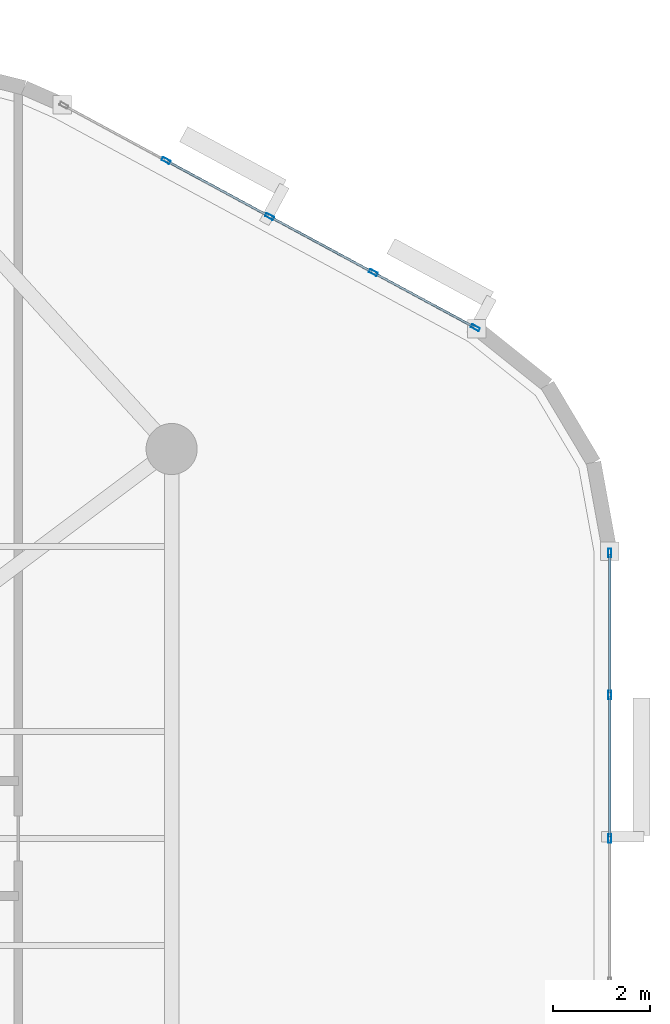
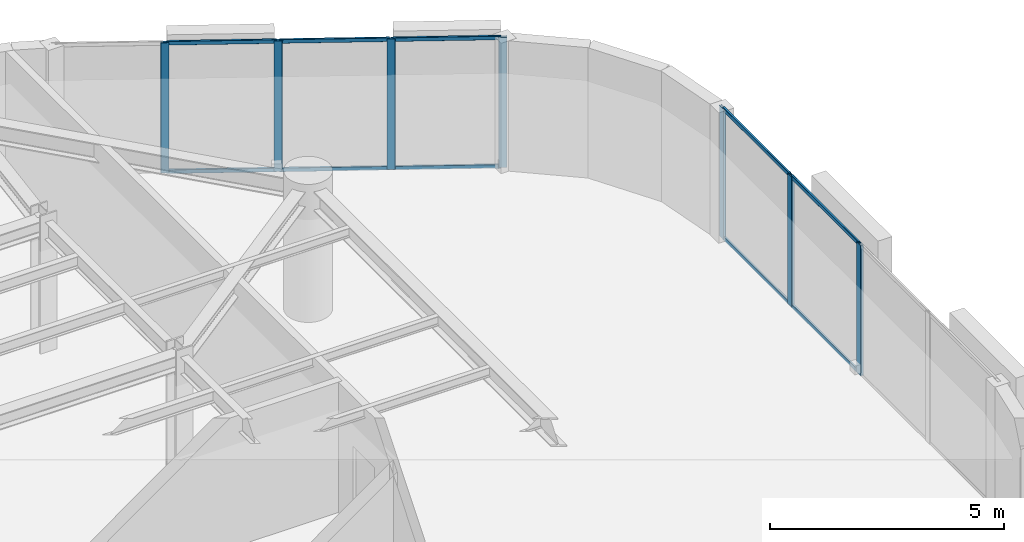
# One storey, part 6 of 13: 17 members, 2 elements without a shape of their own.
"""IFC4 building model written with IfcOpenShell, lengths in metres."""

import ifcopenshell
import ifcopenshell.guid

model = None  # the IFC model being written
_history = None  # IfcOwnerHistory: only IFC2X3 demands one
_inside = {}  # id of a spatial element -> (the spatial element, [elements in it])
_under = {}  # id of a project, library or spatial element -> (it, [spatial elements below it])
_declared = {}  # id of a project -> (the project, [libraries it declares])
_typed = {}  # id of a type object -> (the type object, [elements of that type])
_made_of = {}  # id of a material, layer set ... -> (it, [elements and type objects made of it])


def new_model(schema):
    """Start an empty IFC model of exactly this schema.

    Asked for "IFC4X3", IfcOpenShell would pick the latest addendum, in which some entities
    have other attributes; the version numbers below select the first issue.
    IFC2X3 requires an IfcOwnerHistory on every rooted entity: one is made here for all.
    """
    global model, _history
    if schema == "IFC4X3":
        model = ifcopenshell.file(schema_version=(4, 3, 0, 0))
    else:
        model = ifcopenshell.file(schema=schema)
    _inside.clear()
    _under.clear()
    _declared.clear()
    _typed.clear()
    _made_of.clear()
    _history = None
    if model.schema == "IFC2X3":
        org = make("IfcOrganization", Name="unknown")
        user = make(
            "IfcPersonAndOrganization",
            ThePerson=make("IfcPerson", FamilyName="unknown"),
            TheOrganization=org,
        )
        app = make(
            "IfcApplication",
            ApplicationDeveloper=org,
            Version="unknown",
            ApplicationFullName="unknown",
            ApplicationIdentifier="unknown",
        )
        _history = make(
            "IfcOwnerHistory",
            OwningUser=user,
            OwningApplication=app,
            ChangeAction="ADDED",
            CreationDate=0,
        )
    return model


def make(cls, **values):
    """One entity of the class cls with the attributes given. An attribute that is None is left unset."""
    return model.create_entity(
        cls, **{name: value for name, value in values.items() if value is not None}
    )


def rooted(cls, **values):
    """An entity with a GlobalId (a new one), such as an element, a storey or a relation."""
    return make(cls, GlobalId=ifcopenshell.guid.new(), OwnerHistory=_history, **values)


def si_unit(unit_type, name, prefix=None):
    """IfcSIUnit, for example si_unit("LENGTHUNIT", "METRE", prefix="MILLI")."""
    return make("IfcSIUnit", UnitType=unit_type, Prefix=prefix, Name=name)


def assignment(units):
    """IfcUnitAssignment: the units of a project."""
    return None if units is None else make("IfcUnitAssignment", Units=units)


def point(xyz):
    """IfcCartesianPoint."""
    return None if xyz is None else make("IfcCartesianPoint", Coordinates=xyz)


def direction(xyz):
    """IfcDirection."""
    return None if xyz is None else make("IfcDirection", DirectionRatios=xyz)


def frame(location, z_axis=None, x_axis=None):
    """IfcAxis2Placement3D, a coordinate frame: its origin and axes. An axis left out is left unset."""
    return make(
        "IfcAxis2Placement3D",
        Location=point(location),
        Axis=direction(z_axis),
        RefDirection=direction(x_axis),
    )


def frame_2d(location, x_axis=None):
    """IfcAxis2Placement2D, a coordinate frame in the plane: its origin and x axis."""
    return make(
        "IfcAxis2Placement2D", Location=point(location), RefDirection=direction(x_axis)
    )


def origin():
    """The frame at (0, 0, 0) with its axes left unset."""
    return frame((0.0, 0.0, 0.0))


def origin_2d():
    """The frame at (0, 0) in the plane with its x axis left unset."""
    return frame_2d((0.0, 0.0))


def place(relative_to, where):
    """IfcLocalPlacement: puts the frame where relative to a parent placement (None: the world)."""
    return make(
        "IfcLocalPlacement", PlacementRelTo=relative_to, RelativePlacement=where
    )


def context(
    kind, dimensions, precision=None, world=None, true_north=None, identifier=None
):
    """IfcGeometricRepresentationContext, for example the 3D "Model" context."""
    return make(
        "IfcGeometricRepresentationContext",
        ContextIdentifier=identifier,
        ContextType=kind,
        CoordinateSpaceDimension=dimensions,
        Precision=precision,
        WorldCoordinateSystem=world,
        TrueNorth=true_north,
    )


def subcontext(parent, identifier, kind, view, scale=None):
    """IfcGeometricRepresentationSubContext, for example "Body" below "Model"."""
    return make(
        "IfcGeometricRepresentationSubContext",
        ContextIdentifier=identifier,
        ContextType=kind,
        ParentContext=parent,
        TargetScale=scale,
        TargetView=view,
    )


def project(units=None, contexts=None):
    """IfcProject with its units and contexts."""
    return rooted(
        "IfcProject",
        Name="project",
        RepresentationContexts=contexts,
        UnitsInContext=assignment(units),
    )


def spatial(cls, under=None, at=None, **own):
    """A site, building, storey or space (cls), placed at a placement, below another one or the project."""
    s = rooted(cls, ObjectPlacement=at, **own)
    if under is not None:
        _under.setdefault(under.id(), (under, []))[1].append(s)
    return s


def profile(cls, at=None, kind="AREA", **sizes):
    """A parametric profile (cls). Its sizes go by their IFC names, for example OverallWidth=200.0."""
    return make(cls, ProfileType=kind, Position=at, **sizes)


def hollow_rectangle(**sizes):
    """IfcRectangleHollowProfileDef."""
    return profile("IfcRectangleHollowProfileDef", **sizes)


def extrude(swept, where, along, depth):
    """IfcExtrudedAreaSolid: the profile swept, set in the frame where, extruded along a direction by depth."""
    return make(
        "IfcExtrudedAreaSolid",
        SweptArea=swept,
        Position=where,
        ExtrudedDirection=direction(along),
        Depth=depth,
    )


def shape(context_of_items, identifier, shape_type, items):
    """IfcShapeRepresentation: the items that make up one representation, for example the "Body"."""
    return make(
        "IfcShapeRepresentation",
        ContextOfItems=context_of_items,
        RepresentationIdentifier=identifier,
        RepresentationType=shape_type,
        Items=items,
    )


def material(Name=None, Category=None):
    """IfcMaterial."""
    return make("IfcMaterial", Name=Name, Category=Category)


def layer(
    of_material, thickness, ventilated=None, Name=None, Category=None, Priority=None
):
    """IfcMaterialLayer: one layer of a wall or slab, of a material (None: an air gap)."""
    return make(
        "IfcMaterialLayer",
        Material=of_material,
        LayerThickness=thickness,
        IsVentilated=ventilated,
        Name=Name,
        Category=Category,
        Priority=Priority,
    )


def layer_set(layers, Name=None):
    """IfcMaterialLayerSet."""
    return make("IfcMaterialLayerSet", MaterialLayers=layers, LayerSetName=Name)


def material_profile(
    of_material, cross_section, Name=None, Category=None, Priority=None
):
    """IfcMaterialProfile: a cross section and its material."""
    return make(
        "IfcMaterialProfile",
        Name=Name,
        Material=of_material,
        Profile=cross_section,
        Priority=Priority,
        Category=Category,
    )


def profile_set(profiles, Name=None, composite=None):
    """IfcMaterialProfileSet."""
    return make(
        "IfcMaterialProfileSet",
        Name=Name,
        MaterialProfiles=profiles,
        CompositeProfile=composite,
    )


def made_of(thing, what):
    """Note that an element or type object is made of a material, layer set ...; save() writes the relation."""
    if what is not None:
        _made_of.setdefault(what.id(), (what, []))[1].append(thing)
    return thing


def type_object(cls, material=None, **own):
    """A type object (cls), such as IfcWallType, which elements share."""
    return made_of(rooted(cls, **own), material)


def element(
    cls,
    number,
    at=None,
    inside=None,
    cuts=None,
    type_object=None,
    material=None,
    context=None,
    identifier="Body",
    shape_type=None,
    held_by="IfcProductDefinitionShape",
    body=None,
    shapes=None,
    **own,
):
    """One element of the class cls, such as IfcWall. Its Tag is "e" and its number.

    at: its placement. inside: the storey or other place that contains it. cuts: it is an
    opening in that element (IfcRelVoidsElement). A single representation is given by context,
    identifier, shape_type and body (its items); several are given by shapes. held_by: the class
    of the entity that holds the representations. save() writes the other relations.
    """
    e = rooted(cls, Tag="e%d" % number, ObjectPlacement=at, **own)
    if body is not None:
        shapes = [shape(context, identifier, shape_type, body)]
    if shapes is not None:
        e.Representation = make(held_by, Representations=shapes)
    if inside is not None:
        _inside.setdefault(inside.id(), (inside, []))[1].append(e)
    if cuts is not None:
        rooted(
            "IfcRelVoidsElement", RelatingBuildingElement=cuts, RelatedOpeningElement=e
        )
    if type_object is not None:
        _typed.setdefault(type_object.id(), (type_object, []))[1].append(e)
    return made_of(e, material)


def aggregate(whole, parts):
    """IfcRelAggregates: a whole, such as a stair, and the parts it consists of."""
    return rooted("IfcRelAggregates", RelatingObject=whole, RelatedObjects=parts)


def save(model, path):
    """Write the relations noted so far, then the file.

    IfcRelAggregates (storeys below a building ...), IfcRelContainedInSpatialStructure (elements
    in a storey), IfcRelDefinesByType, IfcRelAssociatesMaterial and IfcRelDeclares: one each for
    every whole, place, type object, material and project.
    """
    for whole, parts in _under.values():
        aggregate(whole, parts)
    for where, things in _inside.values():
        rooted(
            "IfcRelContainedInSpatialStructure",
            RelatedElements=things,
            RelatingStructure=where,
        )
    for kind, things in _typed.values():
        rooted("IfcRelDefinesByType", RelatedObjects=things, RelatingType=kind)
    for what, things in _made_of.values():
        rooted("IfcRelAssociatesMaterial", RelatedObjects=things, RelatingMaterial=what)
    for by, libraries in _declared.values():
        rooted("IfcRelDeclares", RelatingContext=by, RelatedDefinitions=libraries)
    model.write(path)


model = new_model("IFC4")

# Units and contexts
model_context = context("Model", 3, precision=1e-05, world=origin(), true_north=direction((0.0, 1.0)))
body_context = subcontext(model_context, "Body", "Model", "MODEL_VIEW")
ifc_project = project(units=[si_unit("LENGTHUNIT", "METRE"), si_unit("AREAUNIT", "SQUARE_METRE"), si_unit("VOLUMEUNIT", "CUBIC_METRE"), si_unit("PLANEANGLEUNIT", "RADIAN"), si_unit("MASSUNIT", "GRAM", prefix="KILO")], contexts=[model_context])

# Site, building, storey
site_placement = place(None, origin())
site = spatial("IfcSite", under=ifc_project, at=site_placement, CompositionType="ELEMENT")
building_placement = place(site_placement, origin())
building = spatial("IfcBuilding", under=site, at=building_placement, Name="An Khanh Terracotta Commons", CompositionType="ELEMENT")
storey_placement = place(building_placement, frame((0.0, 0.0, 237.300048828125)))
storey = spatial("IfcBuildingStorey", under=building, at=storey_placement, Name="L62", CompositionType="ELEMENT", Elevation=237.300048828125)

# Curtain wall, members
ifc_material = material(Name="Anodised Aluminium 6063-T6", Category="aluminium")
ifc_layer = layer(ifc_material, 0.2099609375, Name="Anodised Aluminium 6063-T6")
ifc_layer_set = layer_set([ifc_layer], Name="Anodised Aluminium 6063-T6")
curtain_wall_type = type_object("IfcCurtainWallType", Name="CW-SYS-03", PredefinedType="USERDEFINED", material=ifc_layer_set)
curtain_wall_1_placement = place(storey_placement, origin())
curtain_wall_1 = element("IfcCurtainWall", 1, at=curtain_wall_1_placement, inside=storey, type_object=curtain_wall_type, Name="L62 CW-03 Unitised Curtain Wall CW-L62-12", ObjectType="UNITISED CURTAIN WALL", PredefinedType="USERDEFINED")
ifc_material_profile_1 = material_profile(ifc_material, hollow_rectangle(XDim=0.070068359375, YDim=0.179931640625, WallThickness=0.00390625, InnerFilletRadius=0.00390625, OuterFilletRadius=0.008056640625, at=origin_2d()), Name="RHS180x70x4")
ifc_profile_set_1 = profile_set([ifc_material_profile_1], Name="Anodised Aluminium 6063-T6")
member_type_1 = type_object("IfcMemberType", Name="CWM-RHS180x70x4", PredefinedType="MULLION", material=ifc_profile_set_1)
member_1_placement = place(storey_placement, frame((68.60009765625, 24.0, 0.0), z_axis=(0.0, 0.0, 1.0), x_axis=(-1.0, 0.0, 0.0)))
member_1 = element("IfcMember", 2, at=member_1_placement, type_object=member_type_1, Name="CW-03 mullion 3", PredefinedType="MULLION", context=body_context, shape_type="SweptSolid", body=[
    extrude(hollow_rectangle(XDim=0.070068359375, YDim=0.179931640625, WallThickness=0.00390625, InnerFilletRadius=0.00390625, OuterFilletRadius=0.008056640625, at=origin_2d()), origin(), (0.0, 0.0, 1.0), 3.39990234375),
])
member_2_placement = place(storey_placement, frame((68.60009765625, 26.949462890625, 0.0), z_axis=(0.0, 0.0, 1.0), x_axis=(-1.0, 0.0, 0.0)))
member_2 = element("IfcMember", 3, at=member_2_placement, type_object=member_type_1, Name="CW-03 mullion 4", PredefinedType="MULLION", context=body_context, shape_type="SweptSolid", body=[
    extrude(hollow_rectangle(XDim=0.070068359375, YDim=0.179931640625, WallThickness=0.00390625, InnerFilletRadius=0.00390625, OuterFilletRadius=0.008056640625, at=origin_2d()), origin(), (0.0, 0.0, 1.0), 3.39990234375),
])
member_3_placement = place(storey_placement, frame((68.60009765625, 29.864013671875, 0.0), z_axis=(0.0, 0.0, 1.0), x_axis=(-1.0, 0.0, 0.0)))
member_3 = element("IfcMember", 4, at=member_3_placement, type_object=member_type_1, Name="CW-03 mullion 5", PredefinedType="MULLION", context=body_context, shape_type="SweptSolid", body=[
    extrude(hollow_rectangle(XDim=0.070068359375, YDim=0.179931640625, WallThickness=0.00390625, InnerFilletRadius=0.00390625, OuterFilletRadius=0.008056640625, at=origin_2d()), origin(), (0.0, 0.0, 1.0), 3.39990234375),
])

curtain_wall_2_placement = place(storey_placement, origin())
curtain_wall_2 = element("IfcCurtainWall", 5, at=curtain_wall_2_placement, inside=storey, type_object=curtain_wall_type, Name="L62 CW-03 Unitised Curtain Wall CW-L62-16", ObjectType="UNITISED CURTAIN WALL", PredefinedType="USERDEFINED")
member_4_placement = place(storey_placement, frame((65.84130859375, 34.49072265625, 0.0), z_axis=(0.0, 0.0, 1.0), x_axis=(-0.47538088298, -0.879780095306, 0.0)))
member_4 = element("IfcMember", 6, at=member_4_placement, type_object=member_type_1, Name="CW-03 mullion 1", PredefinedType="MULLION", context=body_context, shape_type="SweptSolid", body=[
    extrude(hollow_rectangle(XDim=0.070068359375, YDim=0.179931640625, WallThickness=0.00390625, InnerFilletRadius=0.00390625, OuterFilletRadius=0.008056640625, at=origin_2d()), origin(), (0.0, 0.0, 1.0), 3.39990234375),
])
member_5_placement = place(storey_placement, frame((63.7431640625, 35.624267578125, 0.0), z_axis=(0.0, 0.0, 1.0), x_axis=(-0.47538088298, -0.879780095306, 0.0)))
member_5 = element("IfcMember", 7, at=member_5_placement, type_object=member_type_1, Name="CW-03 mullion 2", PredefinedType="MULLION", context=body_context, shape_type="SweptSolid", body=[
    extrude(hollow_rectangle(XDim=0.070068359375, YDim=0.179931640625, WallThickness=0.00390625, InnerFilletRadius=0.00390625, OuterFilletRadius=0.008056640625, at=origin_2d()), origin(), (0.0, 0.0, 1.0), 3.39990234375),
])
member_6_placement = place(storey_placement, frame((61.614501953125, 36.7744140625, 0.0), z_axis=(0.0, 0.0, 1.0), x_axis=(-0.47538088298, -0.879780095306, 0.0)))
member_6 = element("IfcMember", 8, at=member_6_placement, type_object=member_type_1, Name="CW-03 mullion 3", PredefinedType="MULLION", context=body_context, shape_type="SweptSolid", body=[
    extrude(hollow_rectangle(XDim=0.070068359375, YDim=0.179931640625, WallThickness=0.00390625, InnerFilletRadius=0.00390625, OuterFilletRadius=0.008056640625, at=origin_2d()), origin(), (0.0, 0.0, 1.0), 3.39990234375),
])
member_7_placement = place(storey_placement, frame((59.48583984375, 37.9248046875, 0.0), z_axis=(0.0, 0.0, 1.0), x_axis=(-0.47538088298, -0.879780095306, 0.0)))
member_7 = element("IfcMember", 9, at=member_7_placement, type_object=member_type_1, Name="CW-03 mullion 4", PredefinedType="MULLION", context=body_context, shape_type="SweptSolid", body=[
    extrude(hollow_rectangle(XDim=0.070068359375, YDim=0.179931640625, WallThickness=0.00390625, InnerFilletRadius=0.00390625, OuterFilletRadius=0.008056640625, at=origin_2d()), origin(), (0.0, 0.0, 1.0), 3.39990234375),
])

# Member
ifc_material_profile_2 = material_profile(ifc_material, hollow_rectangle(XDim=0.050048828125, YDim=0.10009765625, WallThickness=0.003173828125, InnerFilletRadius=0.003173828125, OuterFilletRadius=0.00634765625, at=origin_2d()), Name="RHS100x50x3.2")
ifc_profile_set_2 = profile_set([ifc_material_profile_2], Name="Anodised Aluminium 6063-T6")
member_type_2 = type_object("IfcMemberType", Name="CWT-RHS100x50x3.2", PredefinedType="USERDEFINED", material=ifc_profile_set_2)
member_8_placement = place(storey_placement, frame((68.60009765625, 24.034912109375, 0.02490234375), z_axis=(0.0, 1.0, 0.0), x_axis=(-1.0, 0.0, 0.0)))
member_8 = element("IfcMember", 10, at=member_8_placement, type_object=member_type_2, Name="CW-03 transom 3.1", ObjectType="TRANSOM", PredefinedType="USERDEFINED", context=body_context, shape_type="SweptSolid", body=[
    extrude(hollow_rectangle(XDim=0.050048828125, YDim=0.10009765625, WallThickness=0.003173828125, InnerFilletRadius=0.003173828125, OuterFilletRadius=0.00634765625, at=origin_2d()), origin(), (0.0, 0.0, 1.0), 2.879638671875),
])

member_9_placement = place(storey_placement, frame((68.60009765625, 24.034912109375, 3.375), z_axis=(0.0, 1.0, 0.0), x_axis=(-1.0, 0.0, 0.0)))
member_9 = element("IfcMember", 11, at=member_9_placement, type_object=member_type_2, Name="CW-03 transom 3.2", ObjectType="TRANSOM", PredefinedType="USERDEFINED", context=body_context, shape_type="SweptSolid", body=[
    extrude(hollow_rectangle(XDim=0.050048828125, YDim=0.10009765625, WallThickness=0.003173828125, InnerFilletRadius=0.003173828125, OuterFilletRadius=0.00634765625, at=origin_2d()), origin(), (0.0, 0.0, 1.0), 2.879638671875),
])

member_10_placement = place(storey_placement, frame((68.60009765625, 26.984619140625, 0.02490234375), z_axis=(0.0, 1.0, 0.0), x_axis=(-1.0, 0.0, 0.0)))
member_10 = element("IfcMember", 12, at=member_10_placement, type_object=member_type_2, Name="CW-03 transom 4.1", ObjectType="TRANSOM", PredefinedType="USERDEFINED", context=body_context, shape_type="SweptSolid", body=[
    extrude(hollow_rectangle(XDim=0.050048828125, YDim=0.10009765625, WallThickness=0.003173828125, InnerFilletRadius=0.003173828125, OuterFilletRadius=0.00634765625, at=origin_2d()), origin(), (0.0, 0.0, 1.0), 2.844482421875),
])

member_11_placement = place(storey_placement, frame((68.60009765625, 26.984619140625, 3.375), z_axis=(0.0, 1.0, 0.0), x_axis=(-1.0, 0.0, 0.0)))
member_11 = element("IfcMember", 13, at=member_11_placement, type_object=member_type_2, Name="CW-03 transom 4.2", ObjectType="TRANSOM", PredefinedType="USERDEFINED", context=body_context, shape_type="SweptSolid", body=[
    extrude(hollow_rectangle(XDim=0.050048828125, YDim=0.10009765625, WallThickness=0.003173828125, InnerFilletRadius=0.003173828125, OuterFilletRadius=0.00634765625, at=origin_2d()), origin(), (0.0, 0.0, 1.0), 2.844482421875),
])

aggregate(curtain_wall_1, [member_1, member_2, member_3, member_8, member_9, member_10, member_11])

member_12_placement = place(storey_placement, frame((65.810302734375, 34.50732421875, 0.02490234375), z_axis=(-0.879779245677, 0.475382455373, 0.0), x_axis=(-0.475382455373, -0.879779245677, 0.0)))
member_12 = element("IfcMember", 14, at=member_12_placement, type_object=member_type_2, Name="CW-03 transom 1.1", ObjectType="TRANSOM", PredefinedType="USERDEFINED", context=body_context, shape_type="SweptSolid", body=[
    extrude(hollow_rectangle(XDim=0.050048828125, YDim=0.10009765625, WallThickness=0.003173828125, InnerFilletRadius=0.003173828125, OuterFilletRadius=0.00634765625, at=origin_2d()), origin(), (0.0, 0.0, 1.0), 2.314697265625),
])

member_13_placement = place(storey_placement, frame((65.810302734375, 34.50732421875, 3.375), z_axis=(-0.879779245677, 0.475382455373, 0.0), x_axis=(-0.475382455373, -0.879779245677, 0.0)))
member_13 = element("IfcMember", 15, at=member_13_placement, type_object=member_type_2, Name="CW-03 transom 1.2", ObjectType="TRANSOM", PredefinedType="USERDEFINED", context=body_context, shape_type="SweptSolid", body=[
    extrude(hollow_rectangle(XDim=0.050048828125, YDim=0.10009765625, WallThickness=0.003173828125, InnerFilletRadius=0.003173828125, OuterFilletRadius=0.00634765625, at=origin_2d()), origin(), (0.0, 0.0, 1.0), 2.314697265625),
])

member_14_placement = place(storey_placement, frame((63.71240234375, 35.640869140625, 0.02490234375), z_axis=(-0.879782861449, 0.475375763686, 0.0), x_axis=(-0.475375763686, -0.879782861449, 0.0)))
member_14 = element("IfcMember", 16, at=member_14_placement, type_object=member_type_2, Name="CW-03 transom 2.1", ObjectType="TRANSOM", PredefinedType="USERDEFINED", context=body_context, shape_type="SweptSolid", body=[
    extrude(hollow_rectangle(XDim=0.050048828125, YDim=0.10009765625, WallThickness=0.003173828125, InnerFilletRadius=0.003173828125, OuterFilletRadius=0.00634765625, at=origin_2d()), origin(), (0.0, 0.0, 1.0), 2.349609375),
])

member_15_placement = place(storey_placement, frame((63.71240234375, 35.640869140625, 3.375), z_axis=(-0.879782861449, 0.475375763686, 0.0), x_axis=(-0.475375763686, -0.879782861449, 0.0)))
member_15 = element("IfcMember", 17, at=member_15_placement, type_object=member_type_2, Name="CW-03 transom 2.2", ObjectType="TRANSOM", PredefinedType="USERDEFINED", context=body_context, shape_type="SweptSolid", body=[
    extrude(hollow_rectangle(XDim=0.050048828125, YDim=0.10009765625, WallThickness=0.003173828125, InnerFilletRadius=0.003173828125, OuterFilletRadius=0.00634765625, at=origin_2d()), origin(), (0.0, 0.0, 1.0), 2.349609375),
])

member_16_placement = place(storey_placement, frame((61.583740234375, 36.791259765625, 0.02490234375), z_axis=(-0.879782861449, 0.475375763686, 0.0), x_axis=(-0.475375763686, -0.879782861449, 0.0)))
member_16 = element("IfcMember", 18, at=member_16_placement, type_object=member_type_2, Name="CW-03 transom 3.1", ObjectType="TRANSOM", PredefinedType="USERDEFINED", context=body_context, shape_type="SweptSolid", body=[
    extrude(hollow_rectangle(XDim=0.050048828125, YDim=0.10009765625, WallThickness=0.003173828125, InnerFilletRadius=0.003173828125, OuterFilletRadius=0.00634765625, at=origin_2d()), origin(), (0.0, 0.0, 1.0), 2.349609375),
])

member_17_placement = place(storey_placement, frame((61.583740234375, 36.791259765625, 3.375), z_axis=(-0.879782861449, 0.475375763686, 0.0), x_axis=(-0.475375763686, -0.879782861449, 0.0)))
member_17 = element("IfcMember", 19, at=member_17_placement, type_object=member_type_2, Name="CW-03 transom 3.2", ObjectType="TRANSOM", PredefinedType="USERDEFINED", context=body_context, shape_type="SweptSolid", body=[
    extrude(hollow_rectangle(XDim=0.050048828125, YDim=0.10009765625, WallThickness=0.003173828125, InnerFilletRadius=0.003173828125, OuterFilletRadius=0.00634765625, at=origin_2d()), origin(), (0.0, 0.0, 1.0), 2.349609375),
])

aggregate(curtain_wall_2, [member_4, member_5, member_6, member_7, member_12, member_13, member_14, member_15, member_16, member_17])

save(model, "model.ifc")
